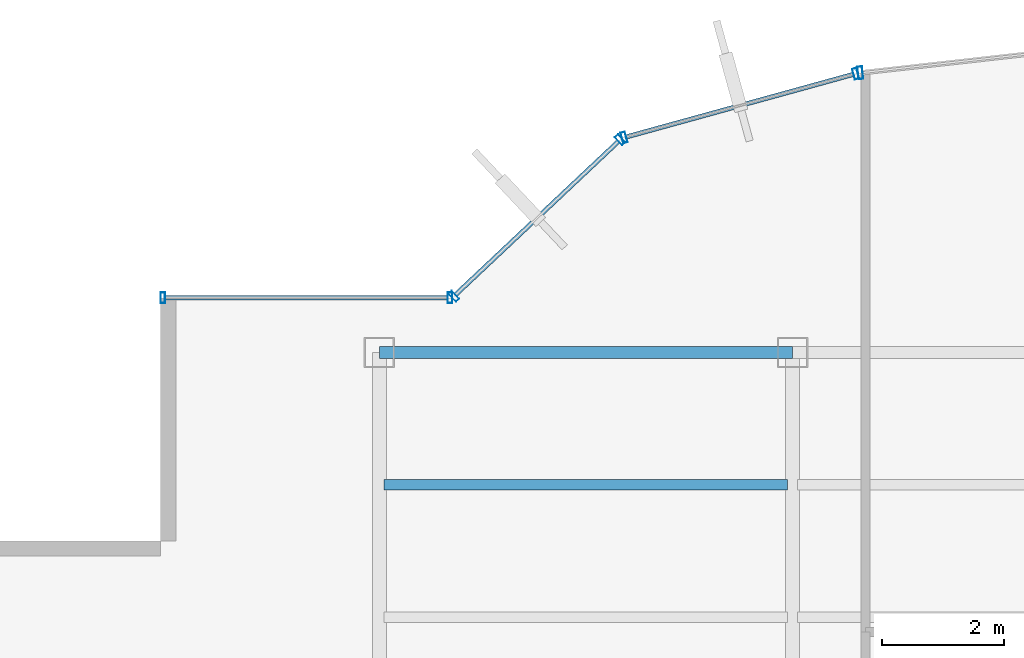
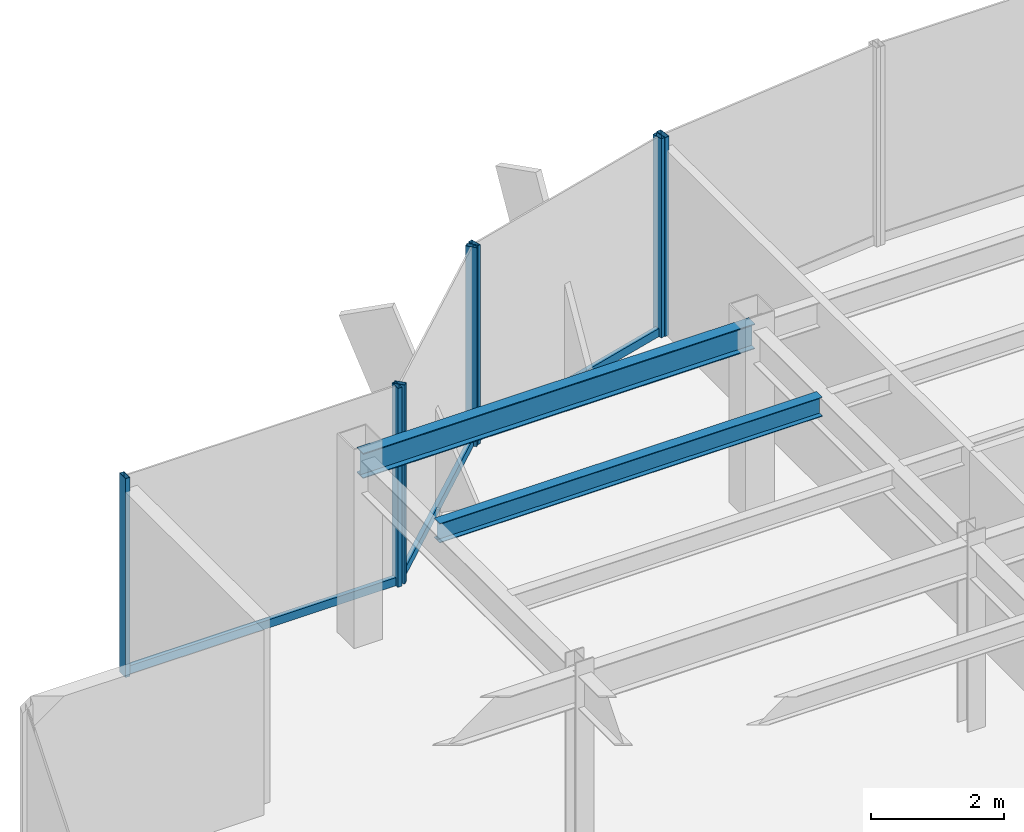
# One storey, part 12 of 22: 10 members, 2 beams, 4 elements without a shape of their own.
"""IFC4 building model written with IfcOpenShell, lengths in metres."""

from ifc_helpers import new_model, si_unit, derived_unit, direction, frame, origin, origin_2d, place, context, subcontext, project, spatial, hollow_rectangle, i_section, extrude, source, transform, mapped, material, material_profile, profile_set, type_object, element, aggregate, save


model = new_model("IFC4")

# Units and contexts
model_context = context("Model", 3, precision=1e-05, world=origin(), true_north=direction((0.0, 1.0)))
body_context = subcontext(model_context, "Body", "Model", "MODEL_VIEW")
ifc_project = project(units=[si_unit("LENGTHUNIT", "METRE"), si_unit("AREAUNIT", "SQUARE_METRE"), si_unit("VOLUMEUNIT", "CUBIC_METRE"), si_unit("PLANEANGLEUNIT", "RADIAN"), si_unit("MASSUNIT", "GRAM", prefix="KILO"), derived_unit("THERMALTRANSMITTANCEUNIT", [(si_unit("POWERUNIT", "WATT"), 1), (si_unit("LENGTHUNIT", "METRE"), -2), (si_unit("THERMODYNAMICTEMPERATUREUNIT", "KELVIN"), -1)])], contexts=[model_context])

# Site, building, storey
site_placement = place(None, origin())
site = spatial("IfcSite", under=ifc_project, at=site_placement, CompositionType="ELEMENT")
building_placement = place(site_placement, origin())
building = spatial("IfcBuilding", under=site, at=building_placement, Name="Skarnbrae Concourse Arena and Tower", CompositionType="ELEMENT")
storey_placement = place(building_placement, frame((0.0, 0.0, 217.800048828125)))
storey = spatial("IfcBuildingStorey", under=building, at=storey_placement, Name="L56", CompositionType="ELEMENT", Elevation=217.800048828125)

# Beams
ifc_material_1 = material(Name="Steel CSA G40.21 350W", Category="steel")
ifc_material_profile_1 = material_profile(ifc_material_1, i_section(OverallWidth=0.19091796875, OverallDepth=0.4599609375, WebThickness=0.010009765625, FlangeThickness=0.01611328125, at=origin_2d()), Name="W460X82")
ifc_profile_set_1 = profile_set([ifc_material_profile_1], Name="Steel CSA G40.21 350W")
beam_type_1 = type_object("IfcBeamType", Name="BM-SPAN-W460X82", PredefinedType="SPANDREL", material=ifc_profile_set_1)
shared_shape_1 = source(origin(), body_context, "Body", "SweptSolid", [
    extrude(i_section(OverallWidth=0.19091796875, OverallDepth=0.4599609375, WebThickness=0.010009765625, FlangeThickness=0.01611328125, at=origin_2d()), origin(), (0.0, 0.0, 1.0), 6.7998046875),
])
beam_1_placement = place(storey_placement, frame((7.60009765625, 34.39990234375, 3.169921875), z_axis=(1.0, 0.0, 0.0), x_axis=(0.0, 1.0, 0.0)))
element("IfcBeam", 1, at=beam_1_placement, inside=storey, type_object=beam_type_1, Name="L56 Perimeter spandrel Y34.4-1", PredefinedType="SPANDREL", context=body_context, shape_type="MappedRepresentation", body=[
    mapped(shared_shape_1, transform((0.0, 0.0, 0.0))),
])
ifc_material_profile_2 = material_profile(ifc_material_1, i_section(OverallWidth=0.1708984375, OverallDepth=0.35498046875, WebThickness=0.007080078125, FlangeThickness=0.01171875, at=origin_2d()), Name="W360X51")
ifc_profile_set_2 = profile_set([ifc_material_profile_2], Name="Steel CSA G40.21 350W")
beam_type_2 = type_object("IfcBeamType", Name="BM-JOIST-W360X51", PredefinedType="JOIST", material=ifc_profile_set_2)
shared_shape_2 = source(origin(), body_context, "Body", "SweptSolid", [
    extrude(i_section(OverallWidth=0.1708984375, OverallDepth=0.35498046875, WebThickness=0.007080078125, FlangeThickness=0.01171875, at=origin_2d()), origin(), (0.0, 0.0, 1.0), 6.64013671875),
])
beam_2_placement = place(storey_placement, frame((7.679931640625, 32.221923828125, 3.222412109375), z_axis=(1.0, 0.0, 0.0), x_axis=(0.0, 1.0, 0.0)))
element("IfcBeam", 2, at=beam_2_placement, inside=storey, type_object=beam_type_2, Name="L56 Secondary floor joist 3.2.1", PredefinedType="JOIST", context=body_context, shape_type="MappedRepresentation", body=[
    mapped(shared_shape_2, transform((0.0, 0.0, 0.0))),
])

# Curtain wall, member
ifc_material_2 = material(Name="Bronze anodised aluminium 6063-T6", Category="aluminium")
curtain_wall_type_1 = type_object("IfcCurtainWallType", Name="CW-SYS-03-PORTAL", PredefinedType="USERDEFINED", material=ifc_material_2)
curtain_wall_1_placement = place(storey_placement, origin())
curtain_wall_1 = element("IfcCurtainWall", 3, at=curtain_wall_1_placement, inside=storey, type_object=curtain_wall_type_1, Name="L56 Unitised curtain wall CW-L56-E12", ObjectType="UNITISED CURTAIN WALL", PredefinedType="USERDEFINED")
ifc_material_profile_3 = material_profile(ifc_material_2, hollow_rectangle(XDim=0.080078125, YDim=0.2099609375, WallThickness=0.00439453125, at=origin_2d()), Name="ALU-MULL-80X210")
ifc_profile_set_3 = profile_set([ifc_material_profile_3], Name="Bronze anodised aluminium 6063-T6")
member_type_1 = type_object("IfcMemberType", Name="CWM-CW-03", PredefinedType="MULLION", material=ifc_profile_set_3)
shared_shape_3 = source(origin(), body_context, "Body", "SweptSolid", [
    extrude(hollow_rectangle(XDim=0.080078125, YDim=0.2099609375, WallThickness=0.00439453125, at=origin_2d()), origin(), (0.0, 0.0, 1.0), 3.64990234375),
])
member_1_placement = place(storey_placement, frame((15.513916015625, 39.001708984375, 0.0), z_axis=(0.0, 0.0, 1.0), x_axis=(-0.993768891873, -0.111460259941, 0.0)))
member_1 = element("IfcMember", 4, at=member_1_placement, type_object=member_type_1, Name="CW-L56-E12 Mullion 2", PredefinedType="MULLION", context=body_context, shape_type="MappedRepresentation", body=[
    mapped(shared_shape_3, transform((0.0, 0.0, 0.0))),
])
aggregate(curtain_wall_1, [member_1])

# Curtain wall, members
curtain_wall_type_2 = type_object("IfcCurtainWallType", Name="CW-SYS-05-HIGHZONE", PredefinedType="USERDEFINED", material=ifc_material_2)
curtain_wall_2_placement = place(storey_placement, origin())
curtain_wall_2 = element("IfcCurtainWall", 5, at=curtain_wall_2_placement, inside=storey, type_object=curtain_wall_type_2, Name="L56 Unitised curtain wall CW-L56-E13", ObjectType="UNITISED CURTAIN WALL", PredefinedType="USERDEFINED")
ifc_material_profile_4 = material_profile(ifc_material_2, hollow_rectangle(XDim=0.074951171875, YDim=0.179931640625, WallThickness=0.00390625, at=origin_2d()), Name="ALU-MULL-75X180")
ifc_profile_set_4 = profile_set([ifc_material_profile_4], Name="Bronze anodised aluminium 6063-T6")
member_type_2 = type_object("IfcMemberType", Name="CWM-CW-05", PredefinedType="MULLION", material=ifc_profile_set_4)
shared_shape_4 = source(origin(), body_context, "Body", "SweptSolid", [
    extrude(hollow_rectangle(XDim=0.074951171875, YDim=0.179931640625, WallThickness=0.00390625, at=origin_2d()), origin(), (0.0, 0.0, 1.0), 3.64990234375),
])
member_2_placement = place(storey_placement, frame((15.43798828125, 38.987060546875, 0.0), z_axis=(0.0, 0.0, 1.0), x_axis=(-0.964057388766, -0.265694093207, 0.0)))
member_2 = element("IfcMember", 6, at=member_2_placement, type_object=member_type_2, Name="CW-L56-E13 Mullion 1", PredefinedType="MULLION", context=body_context, shape_type="MappedRepresentation", body=[
    mapped(shared_shape_4, transform((0.0, 0.0, 0.0))),
])
member_3_placement = place(storey_placement, frame((11.62646484375, 37.936767578125, 0.0), z_axis=(0.0, 0.0, 1.0), x_axis=(-0.964057388766, -0.265694093207, 0.0)))
member_3 = element("IfcMember", 7, at=member_3_placement, type_object=member_type_2, Name="CW-L56-E13 Mullion 2", PredefinedType="MULLION", context=body_context, shape_type="MappedRepresentation", body=[
    mapped(shared_shape_4, transform((0.0, 0.0, 0.0))),
])

curtain_wall_3_placement = place(storey_placement, origin())
curtain_wall_3 = element("IfcCurtainWall", 8, at=curtain_wall_3_placement, inside=storey, type_object=curtain_wall_type_2, Name="L56 Unitised curtain wall CW-L56-E14", ObjectType="UNITISED CURTAIN WALL", PredefinedType="USERDEFINED")
member_4_placement = place(storey_placement, frame((11.56298828125, 37.90087890625, 0.0), z_axis=(0.0, 0.0, 1.0), x_axis=(-0.728130555214, -0.685438468838, 0.0)))
member_4 = element("IfcMember", 9, at=member_4_placement, type_object=member_type_2, Name="CW-L56-E14 Mullion 1", PredefinedType="MULLION", context=body_context, shape_type="MappedRepresentation", body=[
    mapped(shared_shape_4, transform((0.0, 0.0, 0.0))),
])
member_5_placement = place(storey_placement, frame((8.827392578125, 35.32568359375, 0.0), z_axis=(0.0, 0.0, 1.0), x_axis=(-0.728130555214, -0.685438468838, 0.0)))
member_5 = element("IfcMember", 10, at=member_5_placement, type_object=member_type_2, Name="CW-L56-E14 Mullion 2", PredefinedType="MULLION", context=body_context, shape_type="MappedRepresentation", body=[
    mapped(shared_shape_4, transform((0.0, 0.0, 0.0))),
])

curtain_wall_4_placement = place(storey_placement, origin())
curtain_wall_4 = element("IfcCurtainWall", 11, at=curtain_wall_4_placement, inside=storey, type_object=curtain_wall_type_2, Name="L56 Unitised curtain wall CW-L56-E15", ObjectType="UNITISED CURTAIN WALL", PredefinedType="USERDEFINED")
member_6_placement = place(storey_placement, frame((8.762451171875, 35.300048828125, 0.0), z_axis=(0.0, 0.0, 1.0), x_axis=(-1.0, 0.0, 0.0)))
member_6 = element("IfcMember", 12, at=member_6_placement, type_object=member_type_2, Name="CW-L56-E15 Mullion 1", PredefinedType="MULLION", context=body_context, shape_type="MappedRepresentation", body=[
    mapped(shared_shape_4, transform((0.0, 0.0, 0.0))),
])
member_7_placement = place(storey_placement, frame((4.03759765625, 35.300048828125, 0.0), z_axis=(0.0, 0.0, 1.0), x_axis=(-1.0, 0.0, 0.0)))
member_7 = element("IfcMember", 13, at=member_7_placement, type_object=member_type_2, Name="CW-L56-E15 Mullion 2", PredefinedType="MULLION", context=body_context, shape_type="MappedRepresentation", body=[
    mapped(shared_shape_4, transform((0.0, 0.0, 0.0))),
])
ifc_material_profile_5 = material_profile(ifc_material_2, hollow_rectangle(XDim=0.074951171875, YDim=0.14990234375, WallThickness=0.00390625, at=origin_2d()), Name="ALU-TRAN-75X150")
ifc_profile_set_5 = profile_set([ifc_material_profile_5], Name="Bronze anodised aluminium 6063-T6")
member_type_3 = type_object("IfcMemberType", Name="CWT-CW-05", PredefinedType="USERDEFINED", material=ifc_profile_set_5)
shared_shape_5 = source(origin(), body_context, "Body", "SweptSolid", [
    extrude(hollow_rectangle(XDim=0.074951171875, YDim=0.14990234375, WallThickness=0.00390625, at=origin_2d()), origin(), (0.0, 0.0, 1.0), 4.650146484375),
])
member_8_placement = place(storey_placement, frame((8.72509765625, 35.300048828125, 0.074951171875), z_axis=(-1.0, 0.0, 0.0), x_axis=(0.0, -1.0, 0.0)))
member_8 = element("IfcMember", 14, at=member_8_placement, type_object=member_type_3, Name="CW-L56-E15 Transom 1", ObjectType="TRANSOM", PredefinedType="USERDEFINED", context=body_context, shape_type="MappedRepresentation", body=[
    mapped(shared_shape_5, transform((0.0, 0.0, 0.0))),
])
aggregate(curtain_wall_4, [member_6, member_7, member_8])

# Member
shared_shape_6 = source(origin(), body_context, "Body", "SweptSolid", [
    extrude(hollow_rectangle(XDim=0.074951171875, YDim=0.14990234375, WallThickness=0.00390625, at=origin_2d()), origin(), (0.0, 0.0, 1.0), 3.68212890625),
])
member_9_placement = place(storey_placement, frame((11.53564453125, 37.875244140625, 0.074951171875), z_axis=(-0.728133808476, -0.685435012933, 0.0), x_axis=(0.685435012933, -0.728133808476, 0.0)))
member_9 = element("IfcMember", 15, at=member_9_placement, type_object=member_type_3, Name="CW-L56-E14 Transom 1", ObjectType="TRANSOM", PredefinedType="USERDEFINED", context=body_context, shape_type="MappedRepresentation", body=[
    mapped(shared_shape_6, transform((0.0, 0.0, 0.0))),
])

aggregate(curtain_wall_3, [member_4, member_5, member_9])

shared_shape_7 = source(origin(), body_context, "Body", "SweptSolid", [
    extrude(hollow_rectangle(XDim=0.074951171875, YDim=0.14990234375, WallThickness=0.00390625, at=origin_2d()), origin(), (0.0, 0.0, 1.0), 3.878662109375),
])
member_10_placement = place(storey_placement, frame((15.40185546875, 38.977294921875, 0.074951171875), z_axis=(-0.964042677713, -0.265747465742, 0.0), x_axis=(0.265747465742, -0.964042677713, 0.0)))
member_10 = element("IfcMember", 16, at=member_10_placement, type_object=member_type_3, Name="CW-L56-E13 Transom 1", ObjectType="TRANSOM", PredefinedType="USERDEFINED", context=body_context, shape_type="MappedRepresentation", body=[
    mapped(shared_shape_7, transform((0.0, 0.0, 0.0))),
])

aggregate(curtain_wall_2, [member_2, member_3, member_10])

save(model, "model.ifc")
